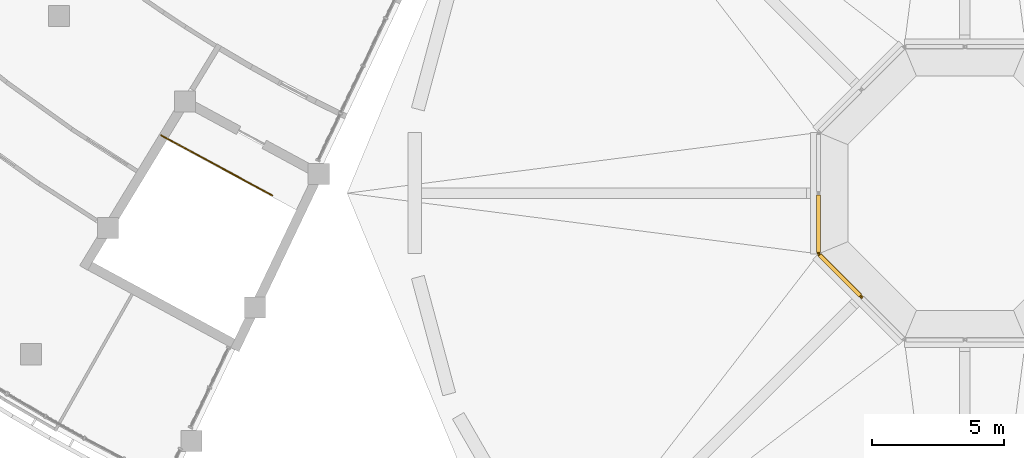
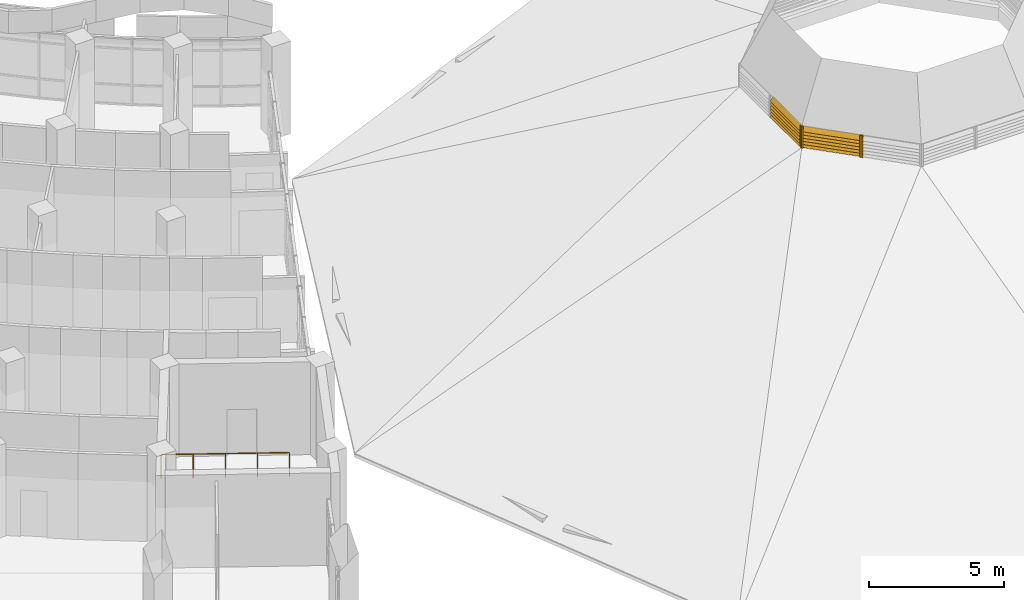
# One storey, part 113 of 137: 16 shading devices, 1 railing.
"""IFC4 building model written with IfcOpenShell, lengths in metres."""

from ifc_helpers import new_model, si_unit, direction, frame, origin, origin_2d, place, context, subcontext, project, spatial, rectangle, circle, extrude, material, material_profile, profile_set, type_object, element, save


model = new_model("IFC4")

# Units and contexts
model_context = context("Model", 3, precision=1e-05, world=origin(), true_north=direction((0.0, 1.0)))
body_context = subcontext(model_context, "Body", "Model", "MODEL_VIEW")
ifc_project = project(units=[si_unit("LENGTHUNIT", "METRE"), si_unit("AREAUNIT", "SQUARE_METRE"), si_unit("VOLUMEUNIT", "CUBIC_METRE"), si_unit("PLANEANGLEUNIT", "RADIAN"), si_unit("MASSUNIT", "GRAM", prefix="KILO")], contexts=[model_context])

# Site, building, storey
site_placement = place(None, origin())
site = spatial("IfcSite", under=ifc_project, at=site_placement, CompositionType="ELEMENT")
building_placement = place(site_placement, origin())
building = spatial("IfcBuilding", under=site, at=building_placement, Name="Bougainvillea Quay General Hospital", CompositionType="ELEMENT")
storey_placement = place(building_placement, frame((0.0, 0.0, 16.800048828125)))
storey = spatial("IfcBuildingStorey", under=building, at=storey_placement, Name="L03", CompositionType="ELEMENT", Elevation=16.800048828125)

# Shading devices
ifc_material_1 = material(Name="Extruded aluminium louvre frame, powder-coated grey", Category="aluminium")
ifc_material_profile_1 = material_profile(ifc_material_1, rectangle(XDim=0.10009765625, YDim=0.06005859375, at=origin_2d()))
ifc_profile_set_1 = profile_set([ifc_material_profile_1], Name="Extruded aluminium louvre frame, powder-coated grey")
shading_device_type_1 = type_object("IfcShadingDeviceType", Name="Louvre frame post 100x60", PredefinedType="JALOUSIE", material=ifc_profile_set_1)
for number, where, z_axis, x_axis, name in (
    (1, (103.656982421875, 71.73388671875, 9.0), (0.0, 0.0, 1.0), (1.0, 0.0, 0.0), "Louvre post V07.2"),
    (2, (103.67822265625, 71.682861328125, 9.0), (0.0, 0.0, 1.0), (0.707106781187, 0.707106781187, 0.0), "Louvre post V08.1"),
    (3, (105.25927734375, 70.101806640625, 9.0), (0.0, 0.0, 1.0), (0.707106781187, 0.707106781187, 0.0), "Louvre post V08.2"),
    (4, (105.3017578125, 70.059326171875, 9.0), (0.0, 0.0, 1.0), (0.707106781187, 0.707106781187, 0.0), "Louvre post V09.1"),
):
    element("IfcShadingDevice", number, at=place(storey_placement, frame(where, z_axis=z_axis, x_axis=x_axis)), inside=storey, type_object=shading_device_type_1, Name=name, PredefinedType="JALOUSIE", context=body_context, shape_type="SweptSolid", body=[
        extrude(rectangle(XDim=0.10009765625, YDim=0.06005859375, at=origin_2d()), origin(), (0.0, 0.0, 1.0), 1.0),
    ])

# Railing
ifc_material_2 = material(Name="Stainless steel 304 balustrade", Category="steel")
railing_type = type_object("IfcRailingType", Name="Stair guard 1100", PredefinedType="GUARDRAIL", material=ifc_material_2)
railing_placement = place(storey_placement, frame((78.78076171875, 76.189697265625, 0.0)))
element("IfcRailing", 5, at=railing_placement, inside=storey, type_object=railing_type, Name="L03 ST-W1 top well guard 1", PredefinedType="GUARDRAIL", context=body_context, shape_type="SweptSolid", body=[
    extrude(circle(Radius=0.02392578125, at=origin_2d()), frame((0.0, 0.0, 1.076171875), z_axis=(0.879598900693, -0.47571606437, 0.0), x_axis=(0.47571606437, 0.879598900693, 0.0)), (0.0, 0.0, 1.0), 4.771728515625),
    extrude(circle(Radius=0.02099609375, at=origin_2d()), origin(), (0.0, 0.0, 1.0), 1.052001953125),
    extrude(circle(Radius=0.02099609375, at=origin_2d()), frame((1.04931640625, -0.5673828125, 0.0)), (0.0, 0.0, 1.0), 1.052001953125),
    extrude(circle(Radius=0.02099609375, at=origin_2d()), frame((2.0986328125, -1.135009765625, 0.0)), (0.0, 0.0, 1.0), 1.052001953125),
    extrude(circle(Radius=0.02099609375, at=origin_2d()), frame((3.14794921875, -1.70263671875, 0.0)), (0.0, 0.0, 1.0), 1.052001953125),
    extrude(circle(Radius=0.02099609375, at=origin_2d()), frame((4.197265625, -2.27001953125, 0.0)), (0.0, 0.0, 1.0), 1.052001953125),
])

# Shading devices
ifc_material_3 = material(Name="Extruded aluminium storm louvre blade, powder-coated grey", Category="aluminium")
ifc_material_profile_2 = material_profile(ifc_material_3, rectangle(XDim=0.219970703125, YDim=0.014892578125, at=origin_2d()))
ifc_profile_set_2 = profile_set([ifc_material_profile_2], Name="Extruded aluminium storm louvre blade, powder-coated grey")
shading_device_type_2 = type_object("IfcShadingDeviceType", Name="Storm louvre blade 220", PredefinedType="JALOUSIE", material=ifc_profile_set_2)
for number, where, z_axis, x_axis, name in (
    (6, (103.656982421875, 73.93994140625, 9.142822265625), (0.0, -1.0, 0.0), (0.707106781187, 0.0, 0.707106781187), "Storm louvre blade V07.1"),
    (7, (103.656982421875, 73.93994140625, 9.28564453125), (0.0, -1.0, 0.0), (0.707106781187, 0.0, 0.707106781187), "Storm louvre blade V07.2"),
    (8, (103.656982421875, 73.93994140625, 9.428466796875), (0.0, -1.0, 0.0), (0.707106781187, 0.0, 0.707106781187), "Storm louvre blade V07.3"),
    (9, (103.656982421875, 73.93994140625, 9.5712890625), (0.0, -1.0, 0.0), (0.707106781187, 0.0, 0.707106781187), "Storm louvre blade V07.4"),
    (10, (103.656982421875, 73.93994140625, 9.71435546875), (0.0, -1.0, 0.0), (0.707106781187, 0.0, 0.707106781187), "Storm louvre blade V07.5"),
    (11, (103.656982421875, 73.93994140625, 9.857177734375), (0.0, -1.0, 0.0), (0.707106781187, 0.0, 0.707106781187), "Storm louvre blade V07.6"),
):
    element("IfcShadingDevice", number, at=place(storey_placement, frame(where, z_axis=z_axis, x_axis=x_axis)), inside=storey, type_object=shading_device_type_2, Name=name, PredefinedType="JALOUSIE", context=body_context, shape_type="SweptSolid", body=[
        extrude(rectangle(XDim=0.219970703125, YDim=0.014892578125, at=origin_2d()), origin(), (0.0, 0.0, 1.0), 2.176025390625),
    ])
for number, where, z_axis, x_axis, name in (
    (12, (103.699462890625, 71.66162109375, 9.142822265625), (0.707106781187, -0.707106781187, 0.0), (0.5, 0.5, 0.707106781187), "Storm louvre blade V08.1"),
    (13, (103.699462890625, 71.66162109375, 9.28564453125), (0.707106781187, -0.707106781187, 0.0), (0.5, 0.5, 0.707106781187), "Storm louvre blade V08.2"),
    (14, (103.699462890625, 71.66162109375, 9.428466796875), (0.707106781187, -0.707106781187, 0.0), (0.5, 0.5, 0.707106781187), "Storm louvre blade V08.3"),
    (15, (103.699462890625, 71.66162109375, 9.5712890625), (0.707106781187, -0.707106781187, 0.0), (0.5, 0.5, 0.707106781187), "Storm louvre blade V08.4"),
    (16, (103.699462890625, 71.66162109375, 9.71435546875), (0.707106781187, -0.707106781187, 0.0), (0.5, 0.5, 0.707106781187), "Storm louvre blade V08.5"),
    (17, (103.699462890625, 71.66162109375, 9.857177734375), (0.707106781187, -0.707106781187, 0.0), (0.5, 0.5, 0.707106781187), "Storm louvre blade V08.6"),
):
    element("IfcShadingDevice", number, at=place(storey_placement, frame(where, z_axis=z_axis, x_axis=x_axis)), inside=storey, type_object=shading_device_type_2, Name=name, PredefinedType="JALOUSIE", context=body_context, shape_type="SweptSolid", body=[
        extrude(rectangle(XDim=0.219970703125, YDim=0.014892578125, at=origin_2d()), origin(), (0.0, 0.0, 1.0), 2.17578125),
    ])

save(model, "model.ifc")
